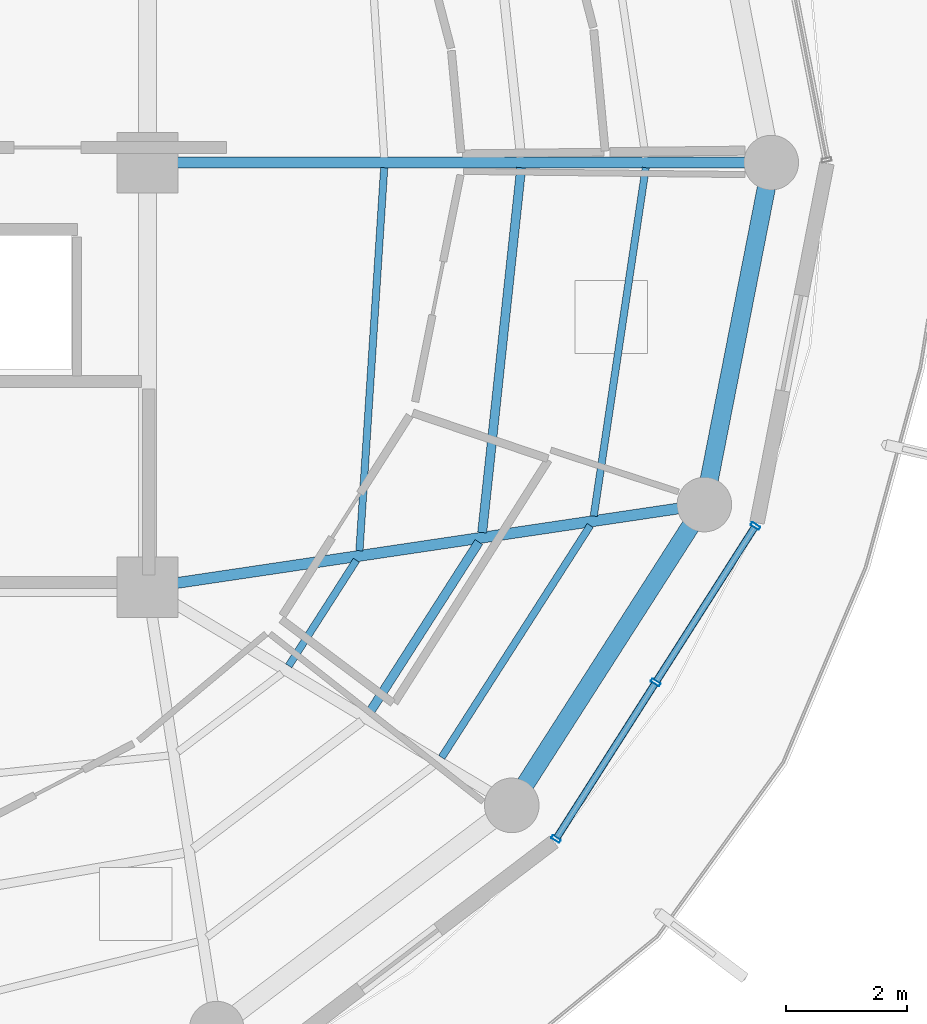
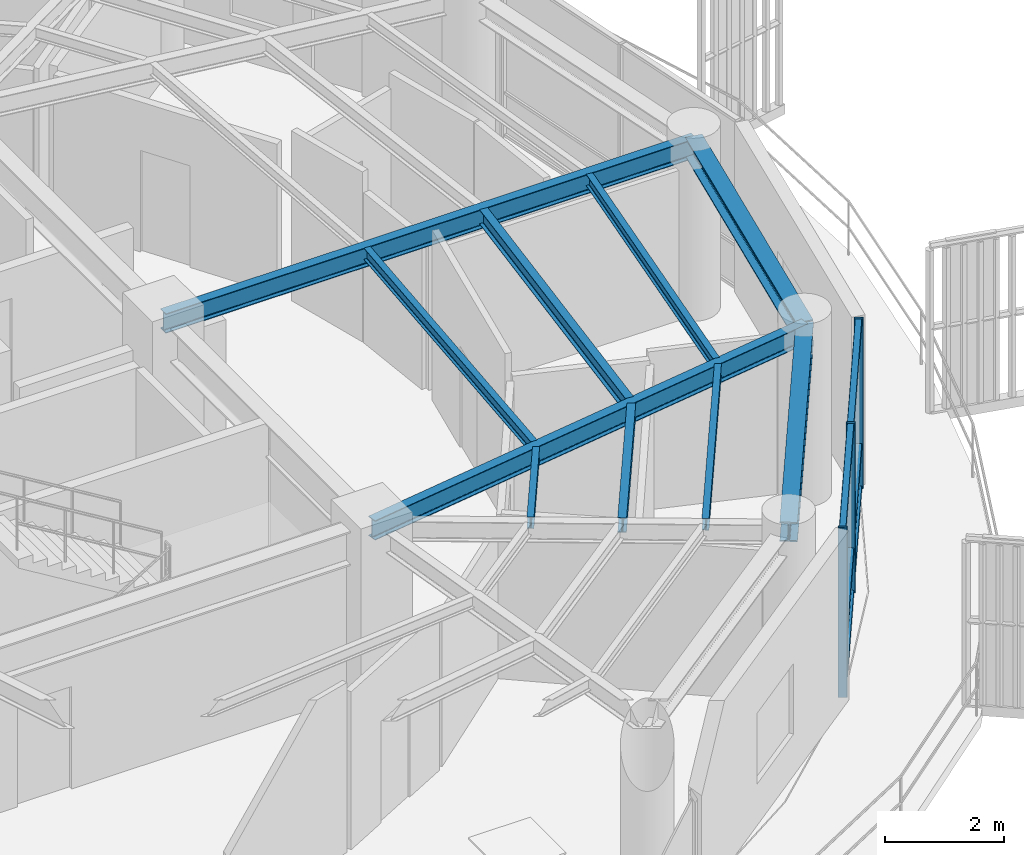
# One storey, part 10 of 24: 10 beams, 9 members, 1 element without a shape of its own.
"""IFC4 building model written with IfcOpenShell, lengths in metres."""

from ifc_helpers import new_model, si_unit, direction, frame, origin, origin_2d, place, context, subcontext, project, spatial, hollow_rectangle, i_section, extrude, material, layer, layer_set, material_profile, profile_set, type_object, element, aggregate, save


model = new_model("IFC4")

# Units and contexts
model_context = context("Model", 3, precision=1e-05, world=origin(), true_north=direction((0.0, 1.0)))
body_context = subcontext(model_context, "Body", "Model", "MODEL_VIEW")
ifc_project = project(units=[si_unit("LENGTHUNIT", "METRE"), si_unit("AREAUNIT", "SQUARE_METRE"), si_unit("VOLUMEUNIT", "CUBIC_METRE"), si_unit("PLANEANGLEUNIT", "RADIAN"), si_unit("MASSUNIT", "GRAM", prefix="KILO")], contexts=[model_context])

# Site, building, storey
site_placement = place(None, origin())
site = spatial("IfcSite", under=ifc_project, at=site_placement, CompositionType="ELEMENT")
building_placement = place(site_placement, origin())
building = spatial("IfcBuilding", under=site, at=building_placement, Name="Kelanora Arch Commons", CompositionType="ELEMENT")
storey_placement = place(building_placement, frame((0.0, 0.0, 248.699951171875)))
storey = spatial("IfcBuildingStorey", under=building, at=storey_placement, Name="L63", CompositionType="ELEMENT", Elevation=248.699951171875)

# Beams
ifc_material_1 = material(Name="Steel S355", Category="steel")
ifc_material_profile_1 = material_profile(ifc_material_1, i_section(OverallWidth=0.14990234375, OverallDepth=0.300048828125, WebThickness=0.007080078125, FlangeThickness=0.0107421875, FilletRadius=0.014892578125, at=origin_2d()), Name="IPE300")
ifc_profile_set_1 = profile_set([ifc_material_profile_1], Name="Steel S355")
beam_type_1 = type_object("IfcBeamType", Name="BM-JST-01", PredefinedType="JOIST", material=ifc_profile_set_1)
beam_1_placement = place(storey_placement, frame((85.647705078125, 48.915771484375, 3.340087890625), z_axis=(0.539321586177, 0.842099891155, 0.0), x_axis=(-0.842099891155, 0.539321586177, 0.0)))
element("IfcBeam", 1, at=beam_1_placement, inside=storey, type_object=beam_type_1, Name="Secondary Chord Joist BJB-32 L63", PredefinedType="JOIST", context=body_context, shape_type="SweptSolid", body=[
    extrude(i_section(OverallWidth=0.14990234375, OverallDepth=0.300048828125, WebThickness=0.007080078125, FlangeThickness=0.0107421875, FilletRadius=0.014892578125, at=origin_2d()), origin(), (0.0, 0.0, 1.0), 3.361572265625),
])
beam_2_placement = place(storey_placement, frame((87.515625, 51.902587890625, 3.340087890625), z_axis=(0.106380594087, 0.994325484538, 0.0), x_axis=(-0.994325484538, 0.106380594087, 0.0)))
element("IfcBeam", 2, at=beam_2_placement, inside=storey, type_object=beam_type_1, Name="Secondary Chord Joist BJB-34 L63", PredefinedType="JOIST", context=body_context, shape_type="SweptSolid", body=[
    extrude(i_section(OverallWidth=0.14990234375, OverallDepth=0.300048828125, WebThickness=0.007080078125, FlangeThickness=0.0107421875, FilletRadius=0.014892578125, at=origin_2d()), origin(), (0.0, 0.0, 1.0), 6.04736328125),
])
ifc_material_profile_2 = material_profile(ifc_material_1, i_section(OverallWidth=0.1201171875, OverallDepth=0.239990234375, WebThickness=0.006103515625, FlangeThickness=0.009765625, FilletRadius=0.014892578125, at=origin_2d()), Name="IPE240")
ifc_profile_set_2 = profile_set([ifc_material_profile_2], Name="Steel S355")
beam_type_2 = type_object("IfcBeamType", Name="BM-JST-02", PredefinedType="JOIST", material=ifc_profile_set_2)
beam_3_placement = place(storey_placement, frame((84.3271484375, 49.706298828125, 3.3701171875), z_axis=(0.539311810315, 0.842106152011, 0.0), x_axis=(-0.842106152011, 0.539311810315, 0.0)))
element("IfcBeam", 3, at=beam_3_placement, inside=storey, type_object=beam_type_2, Name="Secondary Chord Joist BJA-32 L63", PredefinedType="JOIST", context=body_context, shape_type="SweptSolid", body=[
    extrude(i_section(OverallWidth=0.1201171875, OverallDepth=0.239990234375, WebThickness=0.006103515625, FlangeThickness=0.009765625, FilletRadius=0.014892578125, at=origin_2d()), origin(), (0.0, 0.0, 1.0), 2.06640625),
])
beam_4_placement = place(storey_placement, frame((86.848388671875, 48.197021484375, 3.3701171875), z_axis=(0.539288735289, 0.842120929552, 0.0), x_axis=(-0.842120929552, 0.539288735289, 0.0)))
element("IfcBeam", 4, at=beam_4_placement, inside=storey, type_object=beam_type_2, Name="Secondary Chord Joist BJC-32 L63", PredefinedType="JOIST", context=body_context, shape_type="SweptSolid", body=[
    extrude(i_section(OverallWidth=0.1201171875, OverallDepth=0.239990234375, WebThickness=0.006103515625, FlangeThickness=0.009765625, FilletRadius=0.014892578125, at=origin_2d()), origin(), (0.0, 0.0, 1.0), 4.538818359375),
])
beam_5_placement = place(storey_placement, frame((85.492919921875, 51.60302734375, 3.3701171875), z_axis=(0.064495107978, 0.99791802321, 0.0), x_axis=(-0.99791802321, 0.064495107978, 0.0)))
element("IfcBeam", 5, at=beam_5_placement, inside=storey, type_object=beam_type_2, Name="Secondary Chord Joist BJA-34 L63", PredefinedType="JOIST", context=body_context, shape_type="SweptSolid", body=[
    extrude(i_section(OverallWidth=0.1201171875, OverallDepth=0.239990234375, WebThickness=0.006103515625, FlangeThickness=0.009765625, FilletRadius=0.014892578125, at=origin_2d()), origin(), (0.0, 0.0, 1.0), 6.325439453125),
])
beam_6_placement = place(storey_placement, frame((89.3544921875, 52.1748046875, 3.3701171875), z_axis=(0.14762470282, 0.989043450571, 0.0), x_axis=(-0.989043450571, 0.14762470282, 0.0)))
element("IfcBeam", 6, at=beam_6_placement, inside=storey, type_object=beam_type_2, Name="Secondary Chord Joist BJC-34 L63", PredefinedType="JOIST", context=body_context, shape_type="SweptSolid", body=[
    extrude(i_section(OverallWidth=0.1201171875, OverallDepth=0.239990234375, WebThickness=0.006103515625, FlangeThickness=0.009765625, FilletRadius=0.014892578125, at=origin_2d()), origin(), (0.0, 0.0, 1.0), 5.804931640625),
])
ifc_material_profile_3 = material_profile(ifc_material_1, i_section(OverallWidth=0.179931640625, OverallDepth=0.39990234375, WebThickness=0.008544921875, FlangeThickness=0.013427734375, FilletRadius=0.02099609375, at=origin_2d()), Name="IPE400")
ifc_profile_set_3 = profile_set([ifc_material_profile_3], Name="Steel S355")
beam_type_3 = type_object("IfcBeamType", Name="BM-RAD-Z5", PredefinedType="BEAM", material=ifc_profile_set_3)
beam_7_placement = place(storey_placement, frame((82.0, 58.0, 3.2900390625), z_axis=(1.0, 0.0, 0.0), x_axis=(0.0, 1.0, 0.0)))
element("IfcBeam", 7, at=beam_7_placement, inside=storey, type_object=beam_type_3, Name="Radial Floor Girder BR-00 L63", PredefinedType="BEAM", context=body_context, shape_type="SweptSolid", body=[
    extrude(i_section(OverallWidth=0.179931640625, OverallDepth=0.39990234375, WebThickness=0.008544921875, FlangeThickness=0.013427734375, FilletRadius=0.02099609375, at=origin_2d()), origin(), (0.0, 0.0, 1.0), 10.280029296875),
])
beam_8_placement = place(storey_placement, frame((82.0, 51.0, 3.2900390625), z_axis=(0.989142485564, 0.146959665395, 0.0), x_axis=(-0.146959665395, 0.989142485564, 0.0)))
element("IfcBeam", 8, at=beam_8_placement, inside=storey, type_object=beam_type_3, Name="Radial Floor Girder BR-34 L63", PredefinedType="BEAM", context=body_context, shape_type="SweptSolid", body=[
    extrude(i_section(OverallWidth=0.179931640625, OverallDepth=0.39990234375, WebThickness=0.008544921875, FlangeThickness=0.013427734375, FilletRadius=0.02099609375, at=origin_2d()), origin(), (0.0, 0.0, 1.0), 9.2783203125),
])
ifc_material_profile_4 = material_profile(ifc_material_1, i_section(OverallWidth=0.300048828125, OverallDepth=0.39990234375, WebThickness=0.013427734375, FlangeThickness=0.02392578125, FilletRadius=0.027099609375, at=origin_2d()), Name="HEB400")
ifc_profile_set_4 = profile_set([ifc_material_profile_4], Name="Steel S355")
beam_type_4 = type_object("IfcBeamType", Name="BM-SPN-Z4", PredefinedType="SPANDREL", material=ifc_profile_set_4)
beam_9_placement = place(storey_placement, frame((88.00341796875, 47.406982421875, 3.2900390625), z_axis=(0.539280851353, 0.842125978322, 0.0), x_axis=(-0.842125978322, 0.539280851353, 0.0)))
element("IfcBeam", 9, at=beam_9_placement, inside=storey, type_object=beam_type_4, Name="Perimeter Spandrel Beam BS-32 L63", PredefinedType="SPANDREL", context=body_context, shape_type="SweptSolid", body=[
    extrude(i_section(OverallWidth=0.300048828125, OverallDepth=0.39990234375, WebThickness=0.013427734375, FlangeThickness=0.02392578125, FilletRadius=0.027099609375, at=origin_2d()), origin(), (0.0, 0.0, 1.0), 5.8857421875),
])
beam_10_placement = place(storey_placement, frame((91.177490234375, 52.363525390625, 3.2900390625), z_axis=(0.191969774604, 0.981400838413, 0.0), x_axis=(-0.981400838413, 0.191969774604, 0.0)))
element("IfcBeam", 10, at=beam_10_placement, inside=storey, type_object=beam_type_4, Name="Perimeter Spandrel Beam BS-34 L63", PredefinedType="SPANDREL", context=body_context, shape_type="SweptSolid", body=[
    extrude(i_section(OverallWidth=0.300048828125, OverallDepth=0.39990234375, WebThickness=0.013427734375, FlangeThickness=0.02392578125, FilletRadius=0.027099609375, at=origin_2d()), origin(), (0.0, 0.0, 1.0), 5.743408203125),
])

# Curtain wall, members
ifc_material_2 = material(Name="Terracotta ceramic-fritted low-E glass and aluminium", Category="masonry")
ifc_layer = layer(ifc_material_2, 0.18994140625)
ifc_layer_set = layer_set([ifc_layer], Name="Terracotta ceramic-fritted low-E glass and aluminium")
curtain_wall_type = type_object("IfcCurtainWallType", Name="CW-SYS-03", PredefinedType="NOTDEFINED", material=ifc_layer_set)
curtain_wall_placement = place(storey_placement, origin())
curtain_wall = element("IfcCurtainWall", 11, at=curtain_wall_placement, inside=storey, type_object=curtain_wall_type, Name="Unitised Curtain Wall L63-B16", PredefinedType="NOTDEFINED")
ifc_material_3 = material(Name="Powder-coated aluminium terracotta", Category="masonry")
ifc_material_profile_5 = material_profile(ifc_material_3, hollow_rectangle(XDim=0.159912109375, YDim=0.06005859375, WallThickness=0.0048828125, InnerFilletRadius=0.0048828125, OuterFilletRadius=0.010009765625, at=origin_2d()), Name="CWM160x60")
ifc_profile_set_5 = profile_set([ifc_material_profile_5], Name="Powder-coated aluminium terracotta")
member_type_1 = type_object("IfcMemberType", Name="CWM-STD", PredefinedType="MULLION", material=ifc_profile_set_5)
member_1_placement = place(storey_placement, frame((88.732421875, 46.853515625, 0.0), z_axis=(0.0, 0.0, 1.0), x_axis=(-0.843391314545, 0.537299814397, 0.0)))
member_1 = element("IfcMember", 12, at=member_1_placement, type_object=member_type_1, Name="CW-03 mullion 1", PredefinedType="MULLION", context=body_context, shape_type="SweptSolid", body=[
    extrude(hollow_rectangle(XDim=0.159912109375, YDim=0.06005859375, WallThickness=0.0048828125, InnerFilletRadius=0.0048828125, OuterFilletRadius=0.010009765625, at=origin_2d()), origin(), (0.0, 0.0, 1.0), 3.47509765625),
])
member_2_placement = place(storey_placement, frame((90.375, 49.43212890625, 0.0), z_axis=(0.0, 0.0, 1.0), x_axis=(-0.843391314545, 0.537299814397, 0.0)))
member_2 = element("IfcMember", 13, at=member_2_placement, type_object=member_type_1, Name="CW-03 mullion 2", PredefinedType="MULLION", context=body_context, shape_type="SweptSolid", body=[
    extrude(hollow_rectangle(XDim=0.159912109375, YDim=0.06005859375, WallThickness=0.0048828125, InnerFilletRadius=0.0048828125, OuterFilletRadius=0.010009765625, at=origin_2d()), origin(), (0.0, 0.0, 1.0), 3.47509765625),
])
member_3_placement = place(storey_placement, frame((92.017822265625, 52.0107421875, 0.0), z_axis=(0.0, 0.0, 1.0), x_axis=(-0.843391314545, 0.537299814397, 0.0)))
member_3 = element("IfcMember", 14, at=member_3_placement, type_object=member_type_1, Name="CW-03 mullion 3", PredefinedType="MULLION", context=body_context, shape_type="SweptSolid", body=[
    extrude(hollow_rectangle(XDim=0.159912109375, YDim=0.06005859375, WallThickness=0.0048828125, InnerFilletRadius=0.0048828125, OuterFilletRadius=0.010009765625, at=origin_2d()), origin(), (0.0, 0.0, 1.0), 3.47509765625),
])
ifc_material_profile_6 = material_profile(ifc_material_3, hollow_rectangle(XDim=0.1201171875, YDim=0.06005859375, WallThickness=0.0048828125, InnerFilletRadius=0.0048828125, OuterFilletRadius=0.010009765625, at=origin_2d()), Name="CWT120x60")
ifc_profile_set_6 = profile_set([ifc_material_profile_6], Name="Powder-coated aluminium terracotta")
member_type_2 = type_object("IfcMemberType", Name="CWT-STD", PredefinedType="USERDEFINED", material=ifc_profile_set_6)
member_4_placement = place(storey_placement, frame((88.74853515625, 46.87890625, 0.030029296875), z_axis=(0.537286543791, 0.84339976871, 0.0), x_axis=(-0.84339976871, 0.537286543791, 0.0)))
member_4 = element("IfcMember", 15, at=member_4_placement, type_object=member_type_2, Name="CW-03 transom 1.1", ObjectType="TRANSOM", PredefinedType="USERDEFINED", context=body_context, shape_type="SweptSolid", body=[
    extrude(hollow_rectangle(XDim=0.1201171875, YDim=0.06005859375, WallThickness=0.0048828125, InnerFilletRadius=0.0048828125, OuterFilletRadius=0.010009765625, at=origin_2d()), origin(), (0.0, 0.0, 1.0), 2.997314453125),
])
member_5_placement = place(storey_placement, frame((88.74853515625, 46.87890625, 0.900146484375), z_axis=(0.537286543791, 0.84339976871, 0.0), x_axis=(-0.84339976871, 0.537286543791, 0.0)))
member_5 = element("IfcMember", 16, at=member_5_placement, type_object=member_type_2, Name="CW-03 transom 1.2", ObjectType="TRANSOM", PredefinedType="USERDEFINED", context=body_context, shape_type="SweptSolid", body=[
    extrude(hollow_rectangle(XDim=0.1201171875, YDim=0.06005859375, WallThickness=0.0048828125, InnerFilletRadius=0.0048828125, OuterFilletRadius=0.010009765625, at=origin_2d()), origin(), (0.0, 0.0, 1.0), 2.997314453125),
])
member_6_placement = place(storey_placement, frame((88.74853515625, 46.87890625, 3.445068359375), z_axis=(0.537286543791, 0.84339976871, 0.0), x_axis=(-0.84339976871, 0.537286543791, 0.0)))
member_6 = element("IfcMember", 17, at=member_6_placement, type_object=member_type_2, Name="CW-03 transom 1.3", ObjectType="TRANSOM", PredefinedType="USERDEFINED", context=body_context, shape_type="SweptSolid", body=[
    extrude(hollow_rectangle(XDim=0.1201171875, YDim=0.06005859375, WallThickness=0.0048828125, InnerFilletRadius=0.0048828125, OuterFilletRadius=0.010009765625, at=origin_2d()), origin(), (0.0, 0.0, 1.0), 2.997314453125),
])
member_7_placement = place(storey_placement, frame((90.39111328125, 49.45751953125, 0.030029296875), z_axis=(0.537307571338, 0.843386372775, 0.0), x_axis=(-0.843386372775, 0.537307571338, 0.0)))
member_7 = element("IfcMember", 18, at=member_7_placement, type_object=member_type_2, Name="CW-03 transom 2.1", ObjectType="TRANSOM", PredefinedType="USERDEFINED", context=body_context, shape_type="SweptSolid", body=[
    extrude(hollow_rectangle(XDim=0.1201171875, YDim=0.06005859375, WallThickness=0.0048828125, InnerFilletRadius=0.0048828125, OuterFilletRadius=0.010009765625, at=origin_2d()), origin(), (0.0, 0.0, 1.0), 2.99755859375),
])
member_8_placement = place(storey_placement, frame((90.39111328125, 49.45751953125, 0.900146484375), z_axis=(0.537307571338, 0.843386372775, 0.0), x_axis=(-0.843386372775, 0.537307571338, 0.0)))
member_8 = element("IfcMember", 19, at=member_8_placement, type_object=member_type_2, Name="CW-03 transom 2.2", ObjectType="TRANSOM", PredefinedType="USERDEFINED", context=body_context, shape_type="SweptSolid", body=[
    extrude(hollow_rectangle(XDim=0.1201171875, YDim=0.06005859375, WallThickness=0.0048828125, InnerFilletRadius=0.0048828125, OuterFilletRadius=0.010009765625, at=origin_2d()), origin(), (0.0, 0.0, 1.0), 2.99755859375),
])
member_9_placement = place(storey_placement, frame((90.39111328125, 49.45751953125, 3.445068359375), z_axis=(0.537307571338, 0.843386372775, 0.0), x_axis=(-0.843386372775, 0.537307571338, 0.0)))
member_9 = element("IfcMember", 20, at=member_9_placement, type_object=member_type_2, Name="CW-03 transom 2.3", ObjectType="TRANSOM", PredefinedType="USERDEFINED", context=body_context, shape_type="SweptSolid", body=[
    extrude(hollow_rectangle(XDim=0.1201171875, YDim=0.06005859375, WallThickness=0.0048828125, InnerFilletRadius=0.0048828125, OuterFilletRadius=0.010009765625, at=origin_2d()), origin(), (0.0, 0.0, 1.0), 2.99755859375),
])
aggregate(curtain_wall, [member_1, member_2, member_3, member_4, member_5, member_6, member_7, member_8, member_9])

save(model, "model.ifc")
